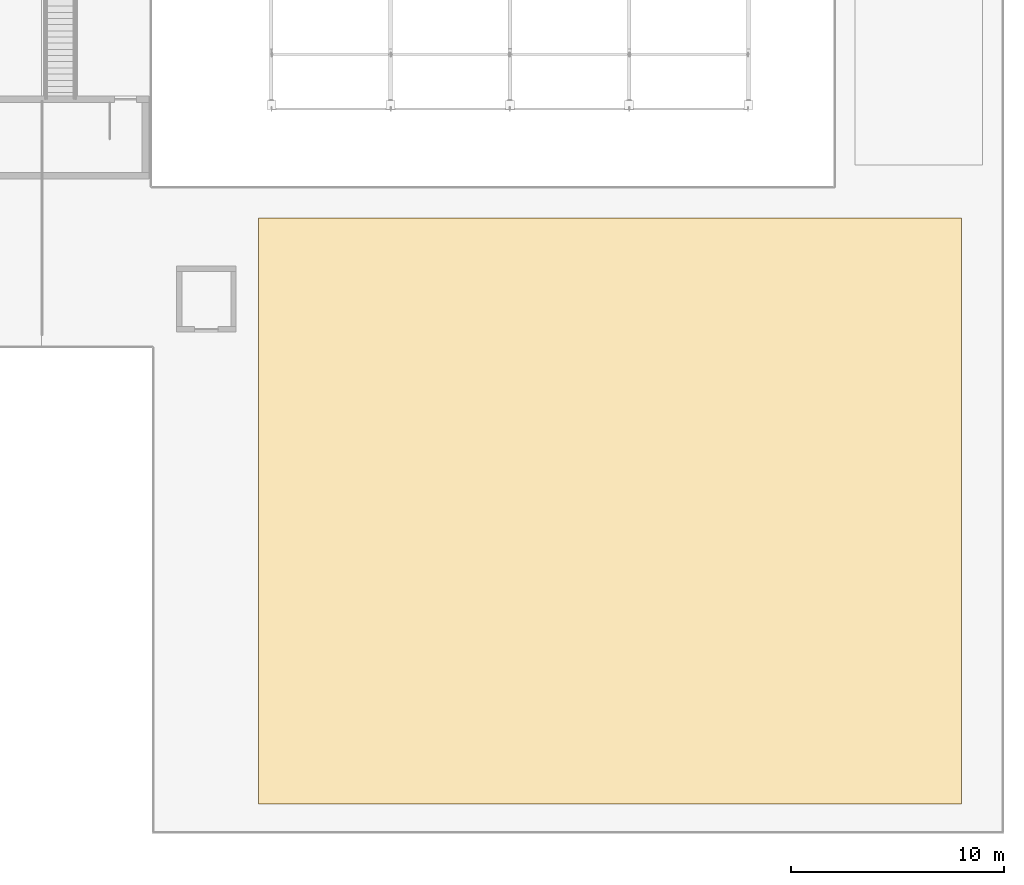
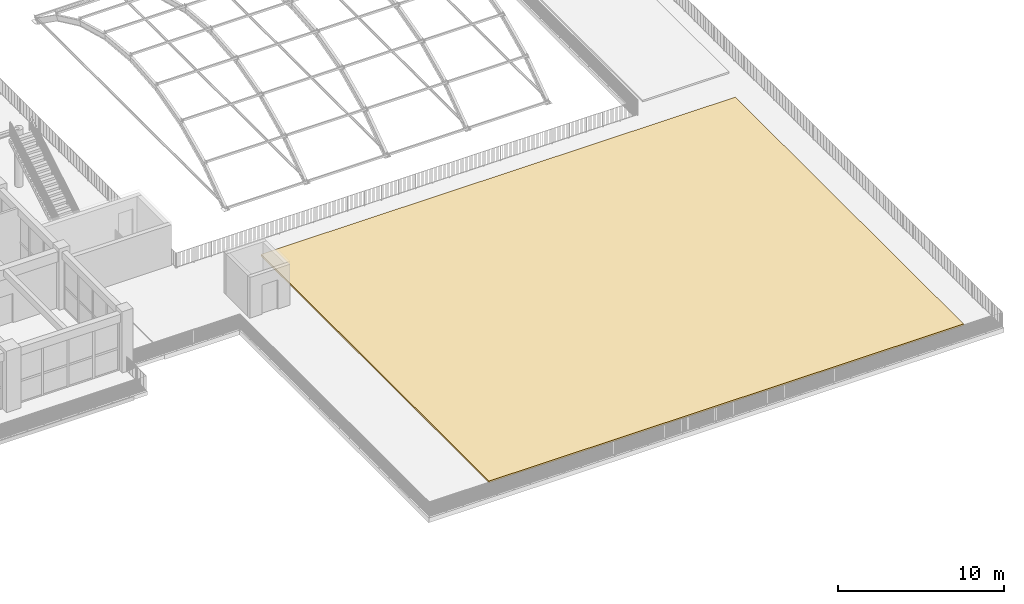
# One storey, part 78 of 79: 1 covering.
"""IFC4 building model written with IfcOpenShell, lengths in metres."""

from ifc_helpers import new_model, si_unit, direction, frame, origin, place, context, subcontext, project, spatial, polyline, outline, extrude, material, layer, layer_set, type_object, element, save


model = new_model("IFC4")

# Units and contexts
model_context = context("Model", 3, precision=1e-05, world=origin(), true_north=direction((0.0, 1.0)))
body_context = subcontext(model_context, "Body", "Model", "MODEL_VIEW")
ifc_project = project(units=[si_unit("LENGTHUNIT", "METRE"), si_unit("AREAUNIT", "SQUARE_METRE"), si_unit("VOLUMEUNIT", "CUBIC_METRE"), si_unit("PLANEANGLEUNIT", "RADIAN"), si_unit("MASSUNIT", "GRAM", prefix="KILO")], contexts=[model_context])

# Site, building, storey
site_placement = place(None, origin())
site = spatial("IfcSite", under=ifc_project, at=site_placement, CompositionType="ELEMENT")
building_placement = place(site_placement, origin())
building = spatial("IfcBuilding", under=site, at=building_placement, Name="Zantavel Square City Hall", CompositionType="ELEMENT")
storey_placement = place(building_placement, frame((0.0, 0.0, 10.199951171875)))
storey = spatial("IfcBuildingStorey", under=building, at=storey_placement, Name="L03", CompositionType="ELEMENT", Elevation=10.199951171875)

# Covering
ifc_material = material(Name="Cantera volcanic tuff stone", Category="masonry")
ifc_layer = layer(ifc_material, 0.1201171875, Name="Cantera volcanic tuff stone")
ifc_layer_set = layer_set([ifc_layer], Name="Cantera volcanic tuff stone")
covering_type = type_object("IfcCoveringType", Name="Intensive Planted Green-Roof Substrate 120mm", PredefinedType="ROOFING", material=ifc_layer_set)
covering_placement = place(storey_placement, origin())
element("IfcCovering", 1, at=covering_placement, inside=storey, type_object=covering_type, Name="L03 Planted Roof Garden Substrate COV-GRN-1", PredefinedType="ROOFING", context=body_context, shape_type="SweptSolid", body=[
    extrude(outline(polyline([(125.0, 9.0), (158.0, 9.0), (158.0, 36.5), (125.0, 36.5), (125.0, 9.0)])), origin(), (0.0, 0.0, 1.0), 0.1201171875),
])

save(model, "model.ifc")
